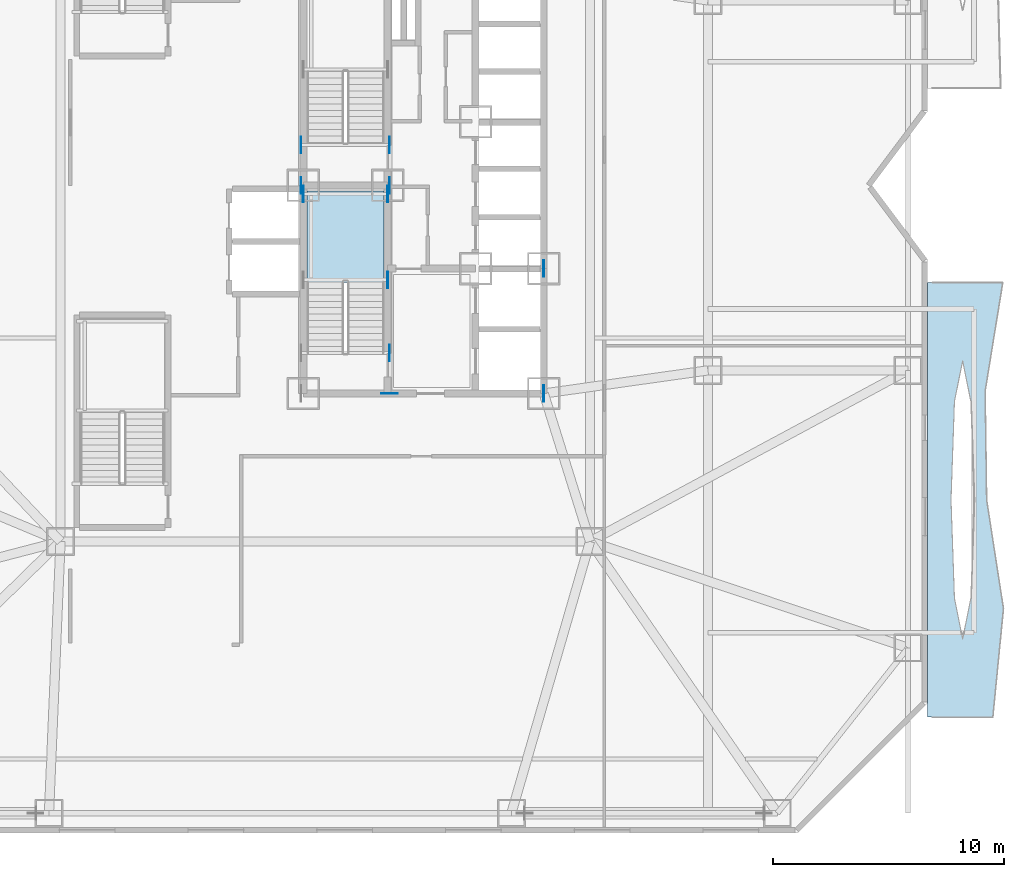
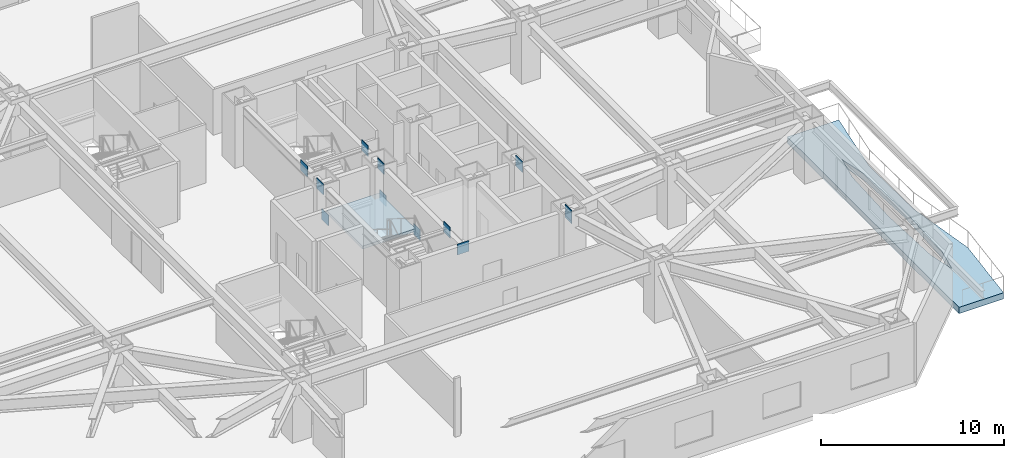
# One storey, part 11 of 25: 12 plates, 2 slabs, 1 element without a shape of its own.
"""IFC4 building model written with IfcOpenShell, lengths in metres."""

from ifc_helpers import new_model, si_unit, direction, frame, origin, origin_2d, place, context, subcontext, project, spatial, polyline, rectangle, outline, extrude, material, layer, layer_set, type_object, element, aggregate, save


model = new_model("IFC4")

# Units and contexts
model_context = context("Model", 3, precision=1e-05, world=origin(), true_north=direction((0.0, 1.0)))
body_context = subcontext(model_context, "Body", "Model", "MODEL_VIEW")
ifc_project = project(units=[si_unit("LENGTHUNIT", "METRE"), si_unit("AREAUNIT", "SQUARE_METRE"), si_unit("VOLUMEUNIT", "CUBIC_METRE"), si_unit("PLANEANGLEUNIT", "RADIAN"), si_unit("MASSUNIT", "GRAM", prefix="KILO")], contexts=[model_context])

# Site, building, storey
site_placement = place(None, origin())
site = spatial("IfcSite", under=ifc_project, at=site_placement, CompositionType="ELEMENT")
building_placement = place(site_placement, origin())
building = spatial("IfcBuilding", under=site, at=building_placement, Name="Khamvora Tower", CompositionType="ELEMENT")
storey_placement = place(building_placement, frame((0.0, 0.0, 24.60009765625)))
storey = spatial("IfcBuildingStorey", under=building, at=storey_placement, Name="L05", CompositionType="ELEMENT", Elevation=24.60009765625)

# Plates
ifc_material_1 = material(Name="Steel S460", Category="steel")
ifc_layer_1 = layer(ifc_material_1, 0.034912109375)
ifc_layer_set_1 = layer_set([ifc_layer_1], Name="Steel S460")
plate_type = type_object("IfcPlateType", Name="PL-EMB-35", PredefinedType="SHEET", material=ifc_layer_set_1)
for number, where, z_axis, x_axis, name in (
    (1, (32.64990234375, 23.9150390625, 1.40869140625), (0.0, 0.0, 1.0), (1.0, 0.0, 0.0), "L05 core shear wall cast-in embed plate 0176"),
    (2, (29.0, 27.6298828125, 1.40869140625), (0.0, 0.0, 1.0), (1.0, 0.0, 0.0), "L05 core shear wall cast-in embed plate 0177"),
    (3, (32.64990234375, 27.6298828125, 1.40869140625), (0.0, 0.0, 1.0), (1.0, 0.0, 0.0), "L05 core shear wall cast-in embed plate 0178"),
    (4, (39.39990234375, 19.0, 3.1328125), (0.0, 0.0, 1.0), (1.0, 0.0, 0.0), "L05 core shear wall cast-in embed plate 0184"),
    (5, (28.89990234375, 28.0, 3.29296875), (0.0, 0.0, 1.0), (1.0, 0.0, 0.0), "L05 core shear wall cast-in embed plate 0187"),
):
    element("IfcPlate", number, at=place(storey_placement, frame(where, z_axis=z_axis, x_axis=x_axis)), inside=storey, type_object=plate_type, Name=name, PredefinedType="SHEET", context=body_context, shape_type="SweptSolid", body=[
        extrude(rectangle(XDim=0.034912109375, YDim=0.719970703125, at=origin_2d()), origin(), (0.0, 0.0, 1.0), 0.719970703125),
    ])
plate_placement = place(storey_placement, frame((32.72998046875, 19.0, 3.29296875), z_axis=(0.0, 0.0, 1.0), x_axis=(1.0, 0.0, 0.0)))
element("IfcPlate", 6, at=plate_placement, inside=storey, type_object=plate_type, Name="L05 core shear wall cast-in embed plate 0189", PredefinedType="SHEET", context=body_context, shape_type="SweptSolid", body=[
    extrude(rectangle(XDim=0.719970703125, YDim=0.034912109375, at=origin_2d()), origin(), (0.0, 0.0, 1.0), 0.719970703125),
])
for number, where, z_axis, x_axis, name in (
    (7, (32.72998046875, 28.0, 3.29296875), (0.0, 0.0, 1.0), (1.0, 0.0, 0.0), "L05 core shear wall cast-in embed plate 0190"),
    (8, (39.39990234375, 19.0, 3.29296875), (0.0, 0.0, 1.0), (1.0, 0.0, 0.0), "L05 core shear wall cast-in embed plate 0192"),
    (9, (39.39990234375, 24.39990234375, 3.29296875), (0.0, 0.0, 1.0), (1.0, 0.0, 0.0), "L05 core shear wall cast-in embed plate 0193"),
    (10, (32.72998046875, 20.75, 3.43408203125), (0.0, 0.0, 1.0), (1.0, 0.0, 0.0), "L05 core shear wall cast-in embed plate 0196"),
    (11, (28.89990234375, 29.75, 3.43408203125), (0.0, 0.0, 1.0), (1.0, 0.0, 0.0), "L05 core shear wall cast-in embed plate 0197"),
    (12, (32.72998046875, 29.75, 3.43408203125), (0.0, 0.0, 1.0), (1.0, 0.0, 0.0), "L05 core shear wall cast-in embed plate 0198"),
):
    element("IfcPlate", number, at=place(storey_placement, frame(where, z_axis=z_axis, x_axis=x_axis)), inside=storey, type_object=plate_type, Name=name, PredefinedType="SHEET", context=body_context, shape_type="SweptSolid", body=[
        extrude(rectangle(XDim=0.034912109375, YDim=0.719970703125, at=origin_2d()), origin(), (0.0, 0.0, 1.0), 0.719970703125),
    ])

# Slab
ifc_material_2 = material(Name="Concrete C40/50", Category="concrete")
ifc_layer_2 = layer(ifc_material_2, 0.419921875)
ifc_layer_set_2 = layer_set([ifc_layer_2], Name="Concrete C40/50")
slab_type_1 = type_object("IfcSlabType", Name="SLB-GRD-420", PredefinedType="FLOOR", material=ifc_layer_set_2)
slab_1_placement = place(storey_placement, frame((0.0, 0.0, -0.420166015625)))
element("IfcSlab", 13, at=slab_1_placement, inside=storey, type_object=slab_type_1, Name="L05 external lens gallery slab EL1", PredefinedType="FLOOR", context=body_context, shape_type="SweptSolid", body=[
    extrude(outline(polyline([(58.820068359375, 5.0), (59.280029296875, 9.699951171875), (58.552001953125, 14.39990234375), (58.487060546875, 19.10009765625), (59.25, 23.800048828125), (56.0, 23.800048828125), (56.0, 5.0), (58.820068359375, 5.0)]), holes=[polyline([(58.01904296875, 14.39990234375), (57.87109375, 18.654052734375), (57.514892578125, 20.416015625), (57.158935546875, 18.654052734375), (57.010986328125, 14.39990234375), (57.158935546875, 10.14599609375), (57.514892578125, 8.384033203125), (57.87109375, 10.14599609375), (58.01904296875, 14.39990234375)])]), origin(), (0.0, 0.0, 1.0), 0.420166015625),
])

# Stair, slab
stair_type = type_object("IfcStairType", Name="STR-ST-01", PredefinedType="HALF_TURN_STAIR", material=ifc_material_2)
stair_placement = place(storey_placement, origin())
stair = element("IfcStair", 14, at=stair_placement, inside=storey, type_object=stair_type, Name="L05 South Tower Exit Stair ST-01", PredefinedType="HALF_TURN_STAIR")
ifc_layer_3 = layer(ifc_material_2, 0.199951171875)
ifc_layer_set_3 = layer_set([ifc_layer_3], Name="Concrete C40/50")
slab_type_2 = type_object("IfcSlabType", Name="SLB-LND-200", PredefinedType="LANDING", material=ifc_layer_set_3)
slab_2_placement = place(storey_placement, frame((0.0, 0.0, 1.89990234375)))
slab_2 = element("IfcSlab", 15, at=slab_2_placement, type_object=slab_type_2, Name="ST-01 landing 1", PredefinedType="LANDING", context=body_context, shape_type="SweptSolid", body=[
    extrude(outline(polyline([(32.5, 23.794921875), (32.5, 27.75), (29.14990234375, 27.75), (29.14990234375, 23.794921875), (32.5, 23.794921875)])), origin(), (0.0, 0.0, 1.0), 0.199951171875),
])
aggregate(stair, [slab_2])

save(model, "model.ifc")
